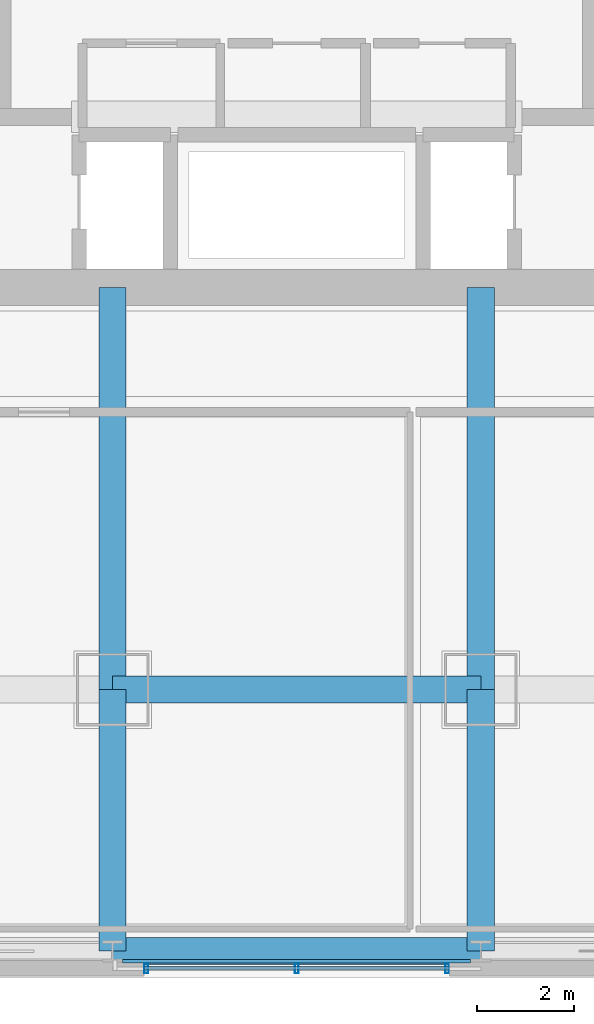
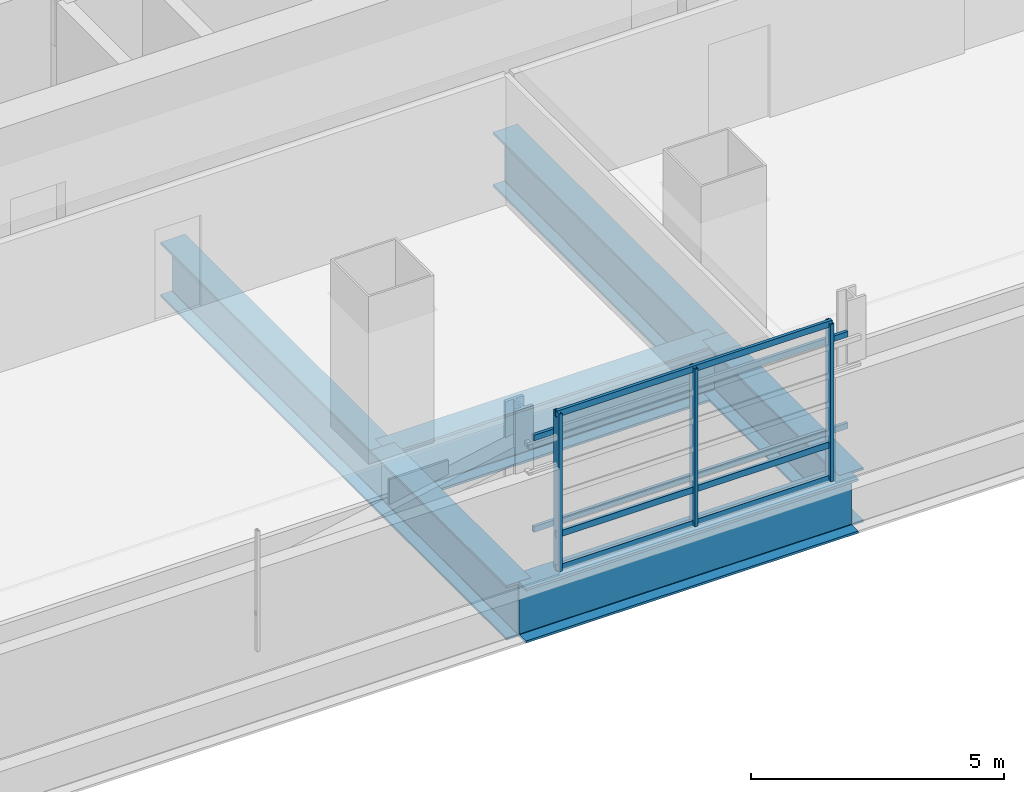
# One storey, part 2 of 27: 8 members, 6 beams, 1 element without a shape of its own.
"""IFC4 building model written with IfcOpenShell, lengths in metres."""

from ifc_helpers import new_model, si_unit, direction, frame, origin, origin_2d, place, context, subcontext, project, spatial, hollow_rectangle, i_section, extrude, material, material_profile, profile_set, type_object, element, aggregate, save


model = new_model("IFC4")

# Units and contexts
model_context = context("Model", 3, precision=1e-05, world=origin(), true_north=direction((0.0, 1.0)))
body_context = subcontext(model_context, "Body", "Model", "MODEL_VIEW")
ifc_project = project(units=[si_unit("LENGTHUNIT", "METRE"), si_unit("AREAUNIT", "SQUARE_METRE"), si_unit("VOLUMEUNIT", "CUBIC_METRE"), si_unit("PLANEANGLEUNIT", "RADIAN"), si_unit("MASSUNIT", "GRAM", prefix="KILO")], contexts=[model_context])

# Site, building, storey
site_placement = place(None, origin())
site = spatial("IfcSite", under=ifc_project, at=site_placement, CompositionType="ELEMENT")
building_placement = place(site_placement, origin())
building = spatial("IfcBuilding", under=site, at=building_placement, Name="Punatoya Terracotta Tower", CompositionType="ELEMENT")
storey_placement = place(building_placement, frame((0.0, 0.0, 60.60009765625)))
storey = spatial("IfcBuildingStorey", under=building, at=storey_placement, Name="L13", CompositionType="ELEMENT", Elevation=60.60009765625)

# Beams
ifc_material_1 = material(Name="Steel S460", Category="steel")
ifc_material_profile_1 = material_profile(ifc_material_1, i_section(OverallWidth=0.56005859375, OverallDepth=1.320068359375, WebThickness=0.035888671875, FlangeThickness=0.054931640625, FilletRadius=0.01806640625, at=origin_2d()))
ifc_profile_set_1 = profile_set([ifc_material_profile_1], Name="Steel S460")
beam_type = type_object("IfcBeamType", Name="BM-TG-BLK", PredefinedType="BEAM", material=ifc_profile_set_1)
beam_1_placement = place(storey_placement, frame((-3.800048828125, -17.5, -0.940185546875), z_axis=(1.0, 0.0, 0.0), x_axis=(0.0, 1.0, 0.0)))
element("IfcBeam", 1, at=beam_1_placement, inside=storey, type_object=beam_type, Name="BM-L13-RG-S2", PredefinedType="BEAM", context=body_context, shape_type="SweptSolid", body=[
    extrude(i_section(OverallWidth=0.56005859375, OverallDepth=1.320068359375, WebThickness=0.035888671875, FlangeThickness=0.054931640625, FilletRadius=0.01806640625, at=origin_2d()), origin(), (0.0, 0.0, 1.0), 7.60009765625),
])
for number, where, z_axis, x_axis, name in (
    (2, (-3.800048828125, -17.5, -0.940185546875), (0.0, 1.0, 0.0), (-1.0, 0.0, 0.0), "BM-L13-PR-S2"),
    (3, (3.800048828125, -17.5, -0.940185546875), (0.0, 1.0, 0.0), (-1.0, 0.0, 0.0), "BM-L13-PR-S3"),
):
    element("IfcBeam", number, at=place(storey_placement, frame(where, z_axis=z_axis, x_axis=x_axis)), inside=storey, type_object=beam_type, Name=name, PredefinedType="BEAM", context=body_context, shape_type="SweptSolid", body=[
        extrude(i_section(OverallWidth=0.56005859375, OverallDepth=1.320068359375, WebThickness=0.035888671875, FlangeThickness=0.054931640625, FilletRadius=0.01806640625, at=origin_2d()), origin(), (0.0, 0.0, 1.0), 8.300048828125),
    ])
for number, where, z_axis, x_axis, name in (
    (4, (-3.800048828125, -22.89990234375, -0.940185546875), (0.0, 1.0, 0.0), (-1.0, 0.0, 0.0), "BM-L13-CANT-S2"),
    (5, (3.800048828125, -22.89990234375, -0.940185546875), (0.0, 1.0, 0.0), (-1.0, 0.0, 0.0), "BM-L13-CANT-S3"),
):
    element("IfcBeam", number, at=place(storey_placement, frame(where, z_axis=z_axis, x_axis=x_axis)), inside=storey, type_object=beam_type, Name=name, PredefinedType="BEAM", context=body_context, shape_type="SweptSolid", body=[
        extrude(i_section(OverallWidth=0.56005859375, OverallDepth=1.320068359375, WebThickness=0.035888671875, FlangeThickness=0.054931640625, FilletRadius=0.01806640625, at=origin_2d()), origin(), (0.0, 0.0, 1.0), 5.39990234375),
    ])
beam_2_placement = place(storey_placement, frame((-3.800048828125, -22.89990234375, -0.940185546875), z_axis=(1.0, 0.0, 0.0), x_axis=(0.0, 1.0, 0.0)))
element("IfcBeam", 6, at=beam_2_placement, inside=storey, type_object=beam_type, Name="BM-L13-PER-S2", PredefinedType="BEAM", context=body_context, shape_type="SweptSolid", body=[
    extrude(i_section(OverallWidth=0.56005859375, OverallDepth=1.320068359375, WebThickness=0.035888671875, FlangeThickness=0.054931640625, FilletRadius=0.01806640625, at=origin_2d()), origin(), (0.0, 0.0, 1.0), 7.60009765625),
])

# Curtain wall, members
ifc_material_2 = material(Name="Aluminium 6063-T6 + Double Low-E Glass", Category="aluminium")
curtain_wall_type = type_object("IfcCurtainWallType", Name="CW-M1", PredefinedType="NOTDEFINED", material=ifc_material_2)
curtain_wall_placement = place(storey_placement, origin())
curtain_wall = element("IfcCurtainWall", 7, at=curtain_wall_placement, inside=storey, type_object=curtain_wall_type, Name="L13 Curtain Wall CW-L13-S01-1", PredefinedType="NOTDEFINED")
ifc_material_3 = material(Name="Aluminium 6063-T6", Category="aluminium")
ifc_material_profile_2 = material_profile(ifc_material_3, hollow_rectangle(XDim=0.074951171875, YDim=0.2099609375, WallThickness=0.00439453125, at=origin_2d()))
ifc_profile_set_2 = profile_set([ifc_material_profile_2], Name="Aluminium 6063-T6")
member_type_1 = type_object("IfcMemberType", Name="CW-MUL-M1", PredefinedType="MULLION", material=ifc_profile_set_2)
member_1_placement = place(storey_placement, frame((-3.10498046875, -23.25, 0.0), z_axis=(0.0, 0.0, 1.0), x_axis=(1.0, 0.0, 0.0)))
member_1 = element("IfcMember", 8, at=member_1_placement, type_object=member_type_1, Name="CW-L13-S01-1 Mullion 00", PredefinedType="MULLION", context=body_context, shape_type="SweptSolid", body=[
    extrude(hollow_rectangle(XDim=0.074951171875, YDim=0.2099609375, WallThickness=0.00439453125, at=origin_2d()), origin(), (0.0, 0.0, 1.0), 3.809814453125),
])
member_2_placement = place(storey_placement, frame((0.0, -23.25, 0.0), z_axis=(0.0, 0.0, 1.0), x_axis=(1.0, 0.0, 0.0)))
member_2 = element("IfcMember", 9, at=member_2_placement, type_object=member_type_1, Name="CW-L13-S01-1 Mullion 01", PredefinedType="MULLION", context=body_context, shape_type="SweptSolid", body=[
    extrude(hollow_rectangle(XDim=0.074951171875, YDim=0.2099609375, WallThickness=0.00439453125, at=origin_2d()), origin(), (0.0, 0.0, 1.0), 3.809814453125),
])
member_3_placement = place(storey_placement, frame((3.10498046875, -23.25, 0.0), z_axis=(0.0, 0.0, 1.0), x_axis=(1.0, 0.0, 0.0)))
member_3 = element("IfcMember", 10, at=member_3_placement, type_object=member_type_1, Name="CW-L13-S01-1 Mullion 02", PredefinedType="MULLION", context=body_context, shape_type="SweptSolid", body=[
    extrude(hollow_rectangle(XDim=0.074951171875, YDim=0.2099609375, WallThickness=0.00439453125, at=origin_2d()), origin(), (0.0, 0.0, 1.0), 3.809814453125),
])
ifc_material_profile_3 = material_profile(ifc_material_3, hollow_rectangle(XDim=0.068115234375, YDim=0.14990234375, WallThickness=0.00390625, at=origin_2d()))
ifc_profile_set_3 = profile_set([ifc_material_profile_3], Name="Aluminium 6063-T6")
member_type_2 = type_object("IfcMemberType", Name="CW-TRN-TYP", PredefinedType="USERDEFINED", material=ifc_profile_set_3)
member_4_placement = place(storey_placement, frame((-3.14990234375, -23.25, 0.039794921875), z_axis=(1.0, 0.0, 0.0), x_axis=(0.0, 1.0, 0.0)))
member_4 = element("IfcMember", 11, at=member_4_placement, type_object=member_type_2, Name="CW-L13-S01-1 Transom 1", ObjectType="TRANSOM", PredefinedType="USERDEFINED", context=body_context, shape_type="SweptSolid", body=[
    extrude(hollow_rectangle(XDim=0.068115234375, YDim=0.14990234375, WallThickness=0.00390625, at=origin_2d()), origin(), (0.0, 0.0, 1.0), 6.2998046875),
])
member_5_placement = place(storey_placement, frame((-3.14990234375, -23.25, 0.849853515625), z_axis=(1.0, 0.0, 0.0), x_axis=(0.0, 1.0, 0.0)))
member_5 = element("IfcMember", 12, at=member_5_placement, type_object=member_type_2, Name="CW-L13-S01-1 Transom 2", ObjectType="TRANSOM", PredefinedType="USERDEFINED", context=body_context, shape_type="SweptSolid", body=[
    extrude(hollow_rectangle(XDim=0.068115234375, YDim=0.14990234375, WallThickness=0.00390625, at=origin_2d()), origin(), (0.0, 0.0, 1.0), 6.2998046875),
])
member_6_placement = place(storey_placement, frame((-3.14990234375, -23.25, 3.77001953125), z_axis=(1.0, 0.0, 0.0), x_axis=(0.0, 1.0, 0.0)))
member_6 = element("IfcMember", 13, at=member_6_placement, type_object=member_type_2, Name="CW-L13-S01-1 Transom 3", ObjectType="TRANSOM", PredefinedType="USERDEFINED", context=body_context, shape_type="SweptSolid", body=[
    extrude(hollow_rectangle(XDim=0.068115234375, YDim=0.14990234375, WallThickness=0.00390625, at=origin_2d()), origin(), (0.0, 0.0, 1.0), 6.2998046875),
])
aggregate(curtain_wall, [member_1, member_2, member_3, member_4, member_5, member_6])

# Members
ifc_material_4 = material(Name="Steel S355", Category="steel")
ifc_material_profile_4 = material_profile(ifc_material_4, hollow_rectangle(XDim=0.070068359375, YDim=0.139892578125, WallThickness=0.006103515625, at=origin_2d()))
ifc_profile_set_4 = profile_set([ifc_material_profile_4], Name="Steel S355")
member_type_3 = type_object("IfcMemberType", Name="MEM-BAG-RAIL", PredefinedType="USERDEFINED", material=ifc_profile_set_4)
for number, where, z_axis, x_axis, name in (
    (14, (-3.592529296875, -23.10498046875, 1.0498046875), (1.0, 0.0, 0.0), (0.0, 1.0, 0.0), "L13 Terracotta Baguette Carrier Rail BAG-L13-S-R1"),
    (15, (-3.592529296875, -23.10498046875, 3.260009765625), (1.0, 0.0, 0.0), (0.0, 1.0, 0.0), "L13 Terracotta Baguette Carrier Rail BAG-L13-S-R2"),
):
    element("IfcMember", number, at=place(storey_placement, frame(where, z_axis=z_axis, x_axis=x_axis)), inside=storey, type_object=member_type_3, Name=name, ObjectType="BAGUETTE", PredefinedType="USERDEFINED", context=body_context, shape_type="SweptSolid", body=[
        extrude(hollow_rectangle(XDim=0.070068359375, YDim=0.139892578125, WallThickness=0.006103515625, at=origin_2d()), origin(), (0.0, 0.0, 1.0), 7.18505859375),
    ])

save(model, "model.ifc")
